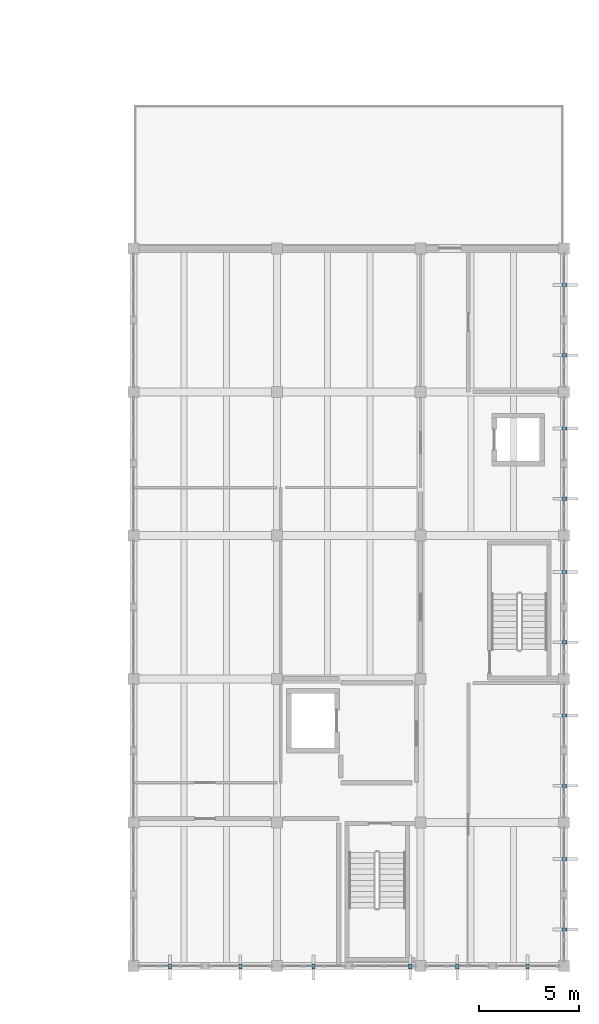
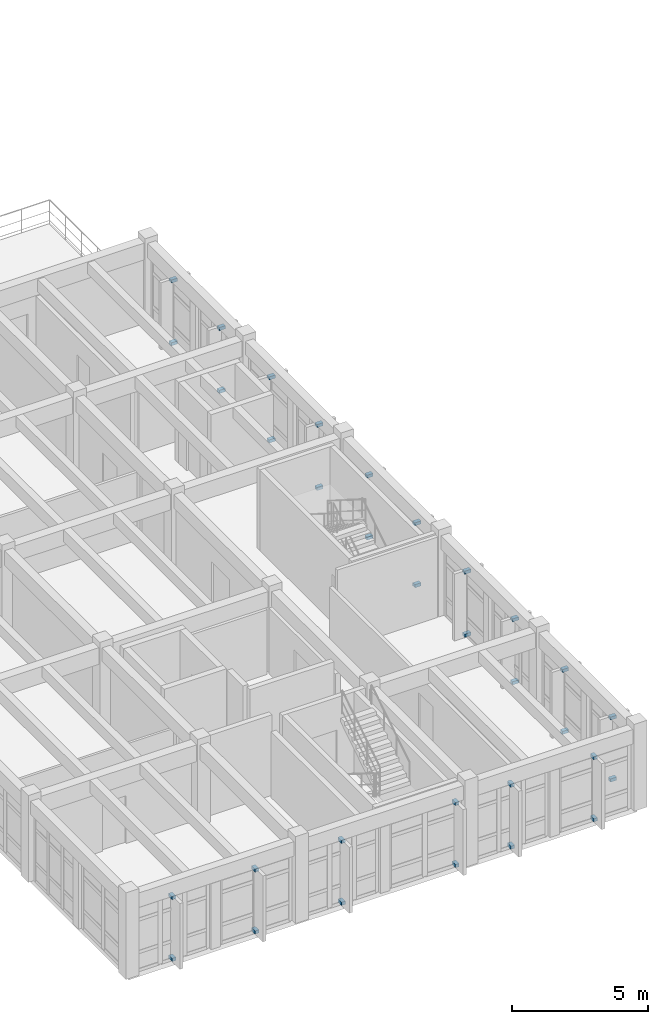
# One storey, part 20 of 22: 32 discrete accessories.
"""IFC4 building model written with IfcOpenShell, lengths in metres."""

from ifc_helpers import new_model, si_unit, direction, frame, origin, origin_2d, place, context, subcontext, project, spatial, rectangle, extrude, material, type_object, element, save


model = new_model("IFC4")

# Units and contexts
model_context = context("Model", 3, precision=1e-05, world=origin(), true_north=direction((0.0, 1.0)))
body_context = subcontext(model_context, "Body", "Model", "MODEL_VIEW")
ifc_project = project(units=[si_unit("LENGTHUNIT", "METRE"), si_unit("AREAUNIT", "SQUARE_METRE"), si_unit("VOLUMEUNIT", "CUBIC_METRE"), si_unit("PLANEANGLEUNIT", "RADIAN"), si_unit("MASSUNIT", "GRAM", prefix="KILO")], contexts=[model_context])

# Site, building, storey
site_placement = place(None, origin())
site = spatial("IfcSite", under=ifc_project, at=site_placement, CompositionType="ELEMENT")
building_placement = place(site_placement, origin())
building = spatial("IfcBuilding", under=site, at=building_placement, Name="Koriwan Promenade Central Fire Station", CompositionType="ELEMENT")
storey_placement = place(building_placement, frame((0.0, 0.0, 17.39990234375)))
storey = spatial("IfcBuildingStorey", under=building, at=storey_placement, Name="L04", CompositionType="ELEMENT", Elevation=17.39990234375)

# Discrete accessories
ifc_material = material(Name="Steel ASTM A572 Grade 50", Category="steel")
discrete_accessory_type = type_object("IfcDiscreteAccessoryType", Name="FacadeBracket_Fin", PredefinedType="BRACKET", material=ifc_material)
for number, where, z_axis, x_axis, name in (
    (1, (172.820068359375, 1.83740234375, 0.02001953125), (0.0, 0.0, 1.0), (1.0, 0.0, 0.0), "Solar fin outrigger bracket 085-BOT"),
    (2, (172.820068359375, 1.83740234375, 2.80029296875), (0.0, 0.0, 1.0), (1.0, 0.0, 0.0), "Solar fin outrigger bracket 085-TOP"),
    (3, (172.820068359375, 5.362548828125, 0.02001953125), (0.0, 0.0, 1.0), (1.0, 0.0, 0.0), "Solar fin outrigger bracket 086-BOT"),
    (4, (172.820068359375, 5.362548828125, 2.80029296875), (0.0, 0.0, 1.0), (1.0, 0.0, 0.0), "Solar fin outrigger bracket 086-TOP"),
    (5, (172.820068359375, 9.03759765625, 0.02001953125), (0.0, 0.0, 1.0), (1.0, 0.0, 0.0), "Solar fin outrigger bracket 087-BOT"),
    (6, (172.820068359375, 9.03759765625, 2.85009765625), (0.0, 0.0, 1.0), (1.0, 0.0, 0.0), "Solar fin outrigger bracket 087-TOP"),
    (7, (172.820068359375, 12.5625, 0.02001953125), (0.0, 0.0, 1.0), (1.0, 0.0, 0.0), "Solar fin outrigger bracket 088-BOT"),
    (8, (172.820068359375, 12.5625, 2.85009765625), (0.0, 0.0, 1.0), (1.0, 0.0, 0.0), "Solar fin outrigger bracket 088-TOP"),
    (9, (172.820068359375, 16.237548828125, 0.02001953125), (0.0, 0.0, 1.0), (1.0, 0.0, 0.0), "Solar fin outrigger bracket 089-BOT"),
    (10, (172.820068359375, 16.237548828125, 2.80029296875), (0.0, 0.0, 1.0), (1.0, 0.0, 0.0), "Solar fin outrigger bracket 089-TOP"),
    (11, (172.820068359375, 19.762451171875, 0.02001953125), (0.0, 0.0, 1.0), (1.0, 0.0, 0.0), "Solar fin outrigger bracket 090-BOT"),
    (12, (172.820068359375, 19.762451171875, 2.80029296875), (0.0, 0.0, 1.0), (1.0, 0.0, 0.0), "Solar fin outrigger bracket 090-TOP"),
    (13, (172.820068359375, 23.4375, 0.02001953125), (0.0, 0.0, 1.0), (1.0, 0.0, 0.0), "Solar fin outrigger bracket 091-BOT"),
    (14, (172.820068359375, 23.4375, 2.85009765625), (0.0, 0.0, 1.0), (1.0, 0.0, 0.0), "Solar fin outrigger bracket 091-TOP"),
    (15, (172.820068359375, 26.96240234375, 0.02001953125), (0.0, 0.0, 1.0), (1.0, 0.0, 0.0), "Solar fin outrigger bracket 092-BOT"),
    (16, (172.820068359375, 26.96240234375, 2.85009765625), (0.0, 0.0, 1.0), (1.0, 0.0, 0.0), "Solar fin outrigger bracket 092-TOP"),
    (17, (172.820068359375, 30.637451171875, 0.02001953125), (0.0, 0.0, 1.0), (1.0, 0.0, 0.0), "Solar fin outrigger bracket 093-BOT"),
    (18, (172.820068359375, 30.637451171875, 2.84033203125), (0.0, 0.0, 1.0), (1.0, 0.0, 0.0), "Solar fin outrigger bracket 093-TOP"),
    (19, (172.820068359375, 34.16259765625, 0.02001953125), (0.0, 0.0, 1.0), (1.0, 0.0, 0.0), "Solar fin outrigger bracket 094-BOT"),
    (20, (172.820068359375, 34.16259765625, 2.84033203125), (0.0, 0.0, 1.0), (1.0, 0.0, 0.0), "Solar fin outrigger bracket 094-TOP"),
    (21, (153.03759765625, -0.02001953125, 0.02001953125), (0.0, 0.0, 1.0), (0.0, -1.0, 0.0), "Solar fin outrigger bracket 095-BOT"),
    (22, (153.03759765625, -0.02001953125, 2.80029296875), (0.0, 0.0, 1.0), (0.0, -1.0, 0.0), "Solar fin outrigger bracket 095-TOP"),
    (23, (156.5625, -0.02001953125, 0.02001953125), (0.0, 0.0, 1.0), (0.0, -1.0, 0.0), "Solar fin outrigger bracket 096-BOT"),
    (24, (156.5625, -0.02001953125, 2.80029296875), (0.0, 0.0, 1.0), (0.0, -1.0, 0.0), "Solar fin outrigger bracket 096-TOP"),
    (25, (160.237548828125, -0.02001953125, 0.02001953125), (0.0, 0.0, 1.0), (0.0, -1.0, 0.0), "Solar fin outrigger bracket 097-BOT"),
    (26, (160.237548828125, -0.02001953125, 2.80029296875), (0.0, 0.0, 1.0), (0.0, -1.0, 0.0), "Solar fin outrigger bracket 097-TOP"),
    (27, (165.080078125, -0.02001953125, 0.02001953125), (0.0, 0.0, 1.0), (0.0, -1.0, 0.0), "Solar fin outrigger bracket 098-BOT"),
    (28, (165.080078125, -0.02001953125, 2.80029296875), (0.0, 0.0, 1.0), (0.0, -1.0, 0.0), "Solar fin outrigger bracket 098-TOP"),
    (29, (167.4375, -0.02001953125, 0.02001953125), (0.0, 0.0, 1.0), (0.0, -1.0, 0.0), "Solar fin outrigger bracket 099-BOT"),
    (30, (167.4375, -0.02001953125, 2.80029296875), (0.0, 0.0, 1.0), (0.0, -1.0, 0.0), "Solar fin outrigger bracket 099-TOP"),
    (31, (170.96240234375, -0.02001953125, 0.02001953125), (0.0, 0.0, 1.0), (0.0, -1.0, 0.0), "Solar fin outrigger bracket 100-BOT"),
    (32, (170.96240234375, -0.02001953125, 2.80029296875), (0.0, 0.0, 1.0), (0.0, -1.0, 0.0), "Solar fin outrigger bracket 100-TOP"),
):
    element("IfcDiscreteAccessory", number, at=place(storey_placement, frame(where, z_axis=z_axis, x_axis=x_axis)), inside=storey, type_object=discrete_accessory_type, Name=name, PredefinedType="BRACKET", context=body_context, shape_type="SweptSolid", body=[
        extrude(rectangle(XDim=0.260009765625, YDim=0.159912109375, at=origin_2d()), origin(), (0.0, 0.0, 1.0), 0.139892578125),
    ])

save(model, "model.ifc")
